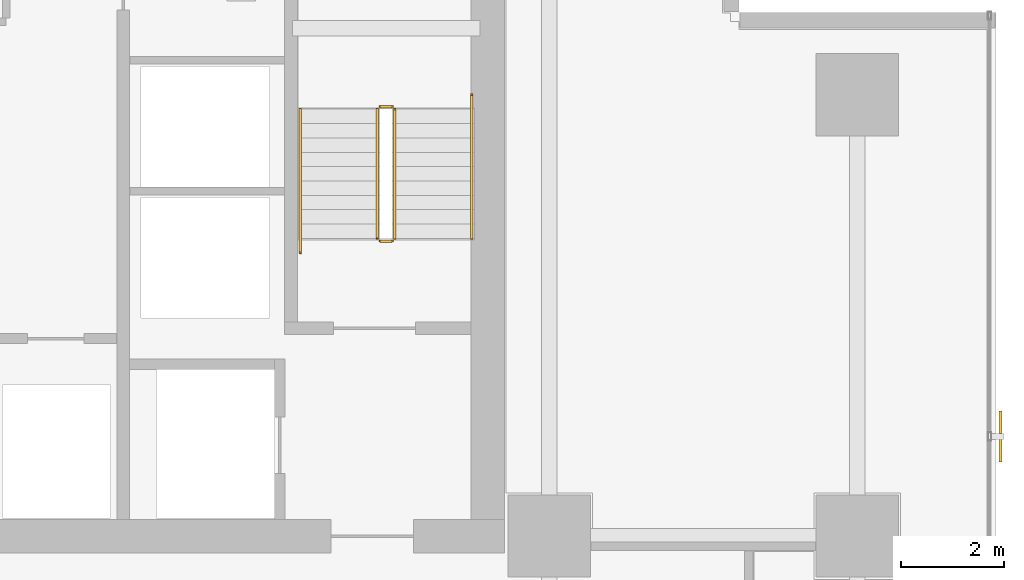
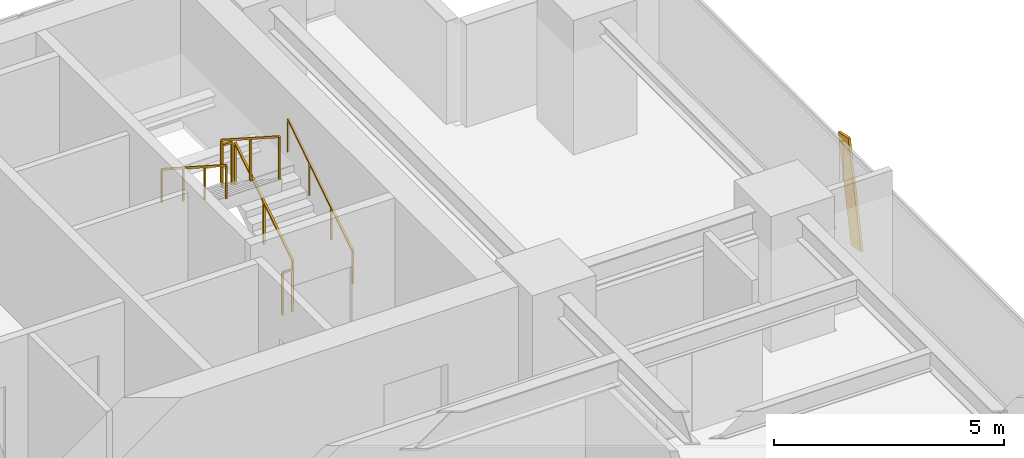
# One storey, part 36 of 37: 6 railings, 1 shading device.
"""IFC4 building model written with IfcOpenShell, lengths in metres."""

from ifc_helpers import new_model, si_unit, direction, frame, origin, origin_2d, place, context, subcontext, project, spatial, rectangle, extrude, source, transform, mapped, material, material_profile, profile_set, type_object, element, save


model = new_model("IFC4")

# Units and contexts
model_context = context("Model", 3, precision=1e-05, world=origin(), true_north=direction((0.0, 1.0)))
body_context = subcontext(model_context, "Body", "Model", "MODEL_VIEW")
ifc_project = project(units=[si_unit("LENGTHUNIT", "METRE"), si_unit("AREAUNIT", "SQUARE_METRE"), si_unit("VOLUMEUNIT", "CUBIC_METRE"), si_unit("PLANEANGLEUNIT", "RADIAN"), si_unit("MASSUNIT", "GRAM", prefix="KILO")], contexts=[model_context])

# Site, building, storey
site_placement = place(None, origin())
site = spatial("IfcSite", under=ifc_project, at=site_placement, CompositionType="ELEMENT")
building_placement = place(site_placement, origin())
building = spatial("IfcBuilding", under=site, at=building_placement, Name="Sumidabori Civic Tower", CompositionType="ELEMENT")
storey_placement = place(building_placement, frame((0.0, 0.0, 110.0)))
storey = spatial("IfcBuildingStorey", under=building, at=storey_placement, Name="L28", CompositionType="ELEMENT", Elevation=110.0)

# Railings
ifc_material_1 = material(Name="Stainless Steel Hairline Finish", Category="steel")
railing_type_1 = type_object("IfcRailingType", Name="RL-HANDRAIL", PredefinedType="HANDRAIL", material=ifc_material_1)
railing_1_placement = place(storey_placement, frame((15.2900390625, 16.0, 0.179931640625)))
element("IfcRailing", 1, at=railing_1_placement, inside=storey, type_object=railing_type_1, Name="L28 ST-2 stair handrail 1", PredefinedType="HANDRAIL", context=body_context, shape_type="SweptSolid", body=[
    extrude(rectangle(XDim=0.048095703125, YDim=0.048095703125, at=origin_2d()), frame((0.0, 0.0, 0.8759765625), z_axis=(0.0, 0.84064222762, 0.54159084662), x_axis=(-1.0, 0.0, 0.0)), (0.0, 0.0, 1.0), 3.330810546875),
    extrude(rectangle(XDim=0.0419921875, YDim=0.0419921875, at=origin_2d()), origin(), (0.0, 0.0, 1.0), 0.851806640625),
    extrude(rectangle(XDim=0.0419921875, YDim=0.0419921875, at=origin_2d()), frame((0.0, 0.933349609375, 0.601318359375)), (0.0, 0.0, 1.0), 0.851806640625),
    extrude(rectangle(XDim=0.0419921875, YDim=0.0419921875, at=origin_2d()), frame((0.0, 1.86669921875, 1.20263671875)), (0.0, 0.0, 1.0), 0.851806640625),
    extrude(rectangle(XDim=0.0419921875, YDim=0.0419921875, at=origin_2d()), frame((0.0, 2.800048828125, 1.803955078125)), (0.0, 0.0, 1.0), 0.851806640625),
])
railing_2_placement = place(storey_placement, frame((11.949951171875, 18.52001953125, 1.97998046875)))
element("IfcRailing", 2, at=railing_2_placement, inside=storey, type_object=railing_type_1, Name="L28 ST-2 stair handrail 2", PredefinedType="HANDRAIL", context=body_context, shape_type="SweptSolid", body=[
    extrude(rectangle(XDim=0.048095703125, YDim=0.048095703125, at=origin_2d()), frame((0.0, 0.0, 0.8759765625), z_axis=(0.0, -0.840675598268, 0.541539046124), x_axis=(1.0, 0.0, 0.0)), (0.0, 0.0, 1.0), 3.330810546875),
    extrude(rectangle(XDim=0.0419921875, YDim=0.0419921875, at=origin_2d()), origin(), (0.0, 0.0, 1.0), 0.851806640625),
    extrude(rectangle(XDim=0.0419921875, YDim=0.0419921875, at=origin_2d()), frame((0.0, -0.933349609375, 0.601318359375)), (0.0, 0.0, 1.0), 0.851806640625),
    extrude(rectangle(XDim=0.0419921875, YDim=0.0419921875, at=origin_2d()), frame((0.0, -1.86669921875, 1.202392578125)), (0.0, 0.0, 1.0), 0.851806640625),
    extrude(rectangle(XDim=0.0419921875, YDim=0.0419921875, at=origin_2d()), frame((0.0, -2.800048828125, 1.8037109375)), (0.0, 0.0, 1.0), 0.851806640625),
])
ifc_material_2 = material(Name="Steel SN490", Category="steel")
railing_type_2 = type_object("IfcRailingType", Name="RL-STAIR-GUARD", PredefinedType="GUARDRAIL", material=ifc_material_2)
railing_3_placement = place(storey_placement, frame((13.7900390625, 16.0, 0.179931640625)))
element("IfcRailing", 3, at=railing_3_placement, inside=storey, type_object=railing_type_2, Name="L28 ST-2 stair guard 1", PredefinedType="GUARDRAIL", context=body_context, shape_type="SweptSolid", body=[
    extrude(rectangle(XDim=0.048095703125, YDim=0.048095703125, at=origin_2d()), frame((0.0, 0.0, 1.1259765625), z_axis=(0.0, 0.841162588446, 0.540782303519), x_axis=(-1.0, 0.0, 0.0)), (0.0, 0.0, 1.0), 2.995849609375),
    extrude(rectangle(XDim=0.0419921875, YDim=0.0419921875, at=origin_2d()), origin(), (0.0, 0.0, 1.0), 1.101806640625),
    extrude(rectangle(XDim=0.0419921875, YDim=0.0419921875, at=origin_2d()), frame((0.0, 1.260009765625, 0.81005859375)), (0.0, 0.0, 1.0), 1.101806640625),
    extrude(rectangle(XDim=0.0419921875, YDim=0.0419921875, at=origin_2d()), frame((0.0, 2.52001953125, 1.6201171875)), (0.0, 0.0, 1.0), 1.101806640625),
])
railing_4_placement = place(storey_placement, frame((13.739990234375, 18.570068359375, 1.800048828125)))
element("IfcRailing", 4, at=railing_4_placement, inside=storey, type_object=railing_type_2, Name="L28 ST-2 stair guard 2", PredefinedType="GUARDRAIL", context=body_context, shape_type="SweptSolid", body=[
    extrude(rectangle(XDim=0.048095703125, YDim=0.048095703125, at=origin_2d()), frame((0.0, 0.0, 1.1259765625), z_axis=(-1.0, 0.0, 0.0), x_axis=(0.0, -1.0, 0.0)), (0.0, 0.0, 1.0), 0.239990234375),
    extrude(rectangle(XDim=0.0419921875, YDim=0.0419921875, at=origin_2d()), origin(), (0.0, 0.0, 1.0), 1.101806640625),
    extrude(rectangle(XDim=0.0419921875, YDim=0.0419921875, at=origin_2d()), frame((-0.239990234375, 0.0, 0.0)), (0.0, 0.0, 1.0), 1.101806640625),
])
railing_5_placement = place(storey_placement, frame((13.449951171875, 18.52001953125, 1.97998046875)))
element("IfcRailing", 5, at=railing_5_placement, inside=storey, type_object=railing_type_2, Name="L28 ST-2 stair guard 3", PredefinedType="GUARDRAIL", context=body_context, shape_type="SweptSolid", body=[
    extrude(rectangle(XDim=0.048095703125, YDim=0.048095703125, at=origin_2d()), frame((0.0, 0.0, 1.1259765625), z_axis=(0.0, -0.841162588446, 0.540782303519), x_axis=(1.0, 0.0, 0.0)), (0.0, 0.0, 1.0), 2.995849609375),
    extrude(rectangle(XDim=0.0419921875, YDim=0.0419921875, at=origin_2d()), origin(), (0.0, 0.0, 1.0), 1.101806640625),
    extrude(rectangle(XDim=0.0419921875, YDim=0.0419921875, at=origin_2d()), frame((0.0, -1.260009765625, 0.81005859375)), (0.0, 0.0, 1.0), 1.101806640625),
    extrude(rectangle(XDim=0.0419921875, YDim=0.0419921875, at=origin_2d()), frame((0.0, -2.52001953125, 1.6201171875)), (0.0, 0.0, 1.0), 1.101806640625),
])
railing_6_placement = place(storey_placement, frame((13.739990234375, 15.949951171875, 0.0)))
element("IfcRailing", 6, at=railing_6_placement, inside=storey, type_object=railing_type_2, Name="L28 ST-2 stair guard 4", PredefinedType="GUARDRAIL", context=body_context, shape_type="SweptSolid", body=[
    extrude(rectangle(XDim=0.048095703125, YDim=0.048095703125, at=origin_2d()), frame((0.0, 0.0, 1.1259765625), z_axis=(-1.0, 0.0, 0.0), x_axis=(0.0, -1.0, 0.0)), (0.0, 0.0, 1.0), 0.239990234375),
    extrude(rectangle(XDim=0.0419921875, YDim=0.0419921875, at=origin_2d()), origin(), (0.0, 0.0, 1.0), 1.101806640625),
    extrude(rectangle(XDim=0.0419921875, YDim=0.0419921875, at=origin_2d()), frame((-0.239990234375, 0.0, 0.0)), (0.0, 0.0, 1.0), 1.101806640625),
])

# Shading device
ifc_material_3 = material(Name="Anodised Bronze Aluminium AW-6063-T6", Category="aluminium")
ifc_material_profile = material_profile(ifc_material_3, rectangle(XDim=0.06005859375, YDim=0.449951171875, at=origin_2d()), Name="BRONZE FIN 450x60")
ifc_profile_set = profile_set([ifc_material_profile], Name="Anodised Bronze Aluminium AW-6063-T6")
shading_device_type = type_object("IfcShadingDeviceType", Name="SH-FIN-450", PredefinedType="USERDEFINED", material=ifc_profile_set)
shared_shape = source(origin(), body_context, "Body", "SweptSolid", [
    extrude(rectangle(XDim=0.06005859375, YDim=0.449951171875, at=origin_2d()), origin(), (0.0, 0.0, 1.0), 2.73779296875),
])
shading_device_placement = place(storey_placement, frame((25.590087890625, 11.862060546875, 0.02001953125), z_axis=(0.0, 0.204563143937, 0.978853370093), x_axis=(-1.0, 0.0, 0.0)))
element("IfcShadingDevice", 7, at=shading_device_placement, inside=storey, type_object=shading_device_type, Name="Bronze Anodised Diagonal Fin L28-04", ObjectType="FIN", PredefinedType="USERDEFINED", context=body_context, shape_type="MappedRepresentation", body=[
    mapped(shared_shape, transform((0.0, 0.0, 0.0), x_axis=(1.0, 0.0, 0.0), y_axis=(0.0, 1.0, 0.0), z_axis=(0.0, 0.0, 1.0), scale=1.0)),
])

save(model, "model.ifc")
